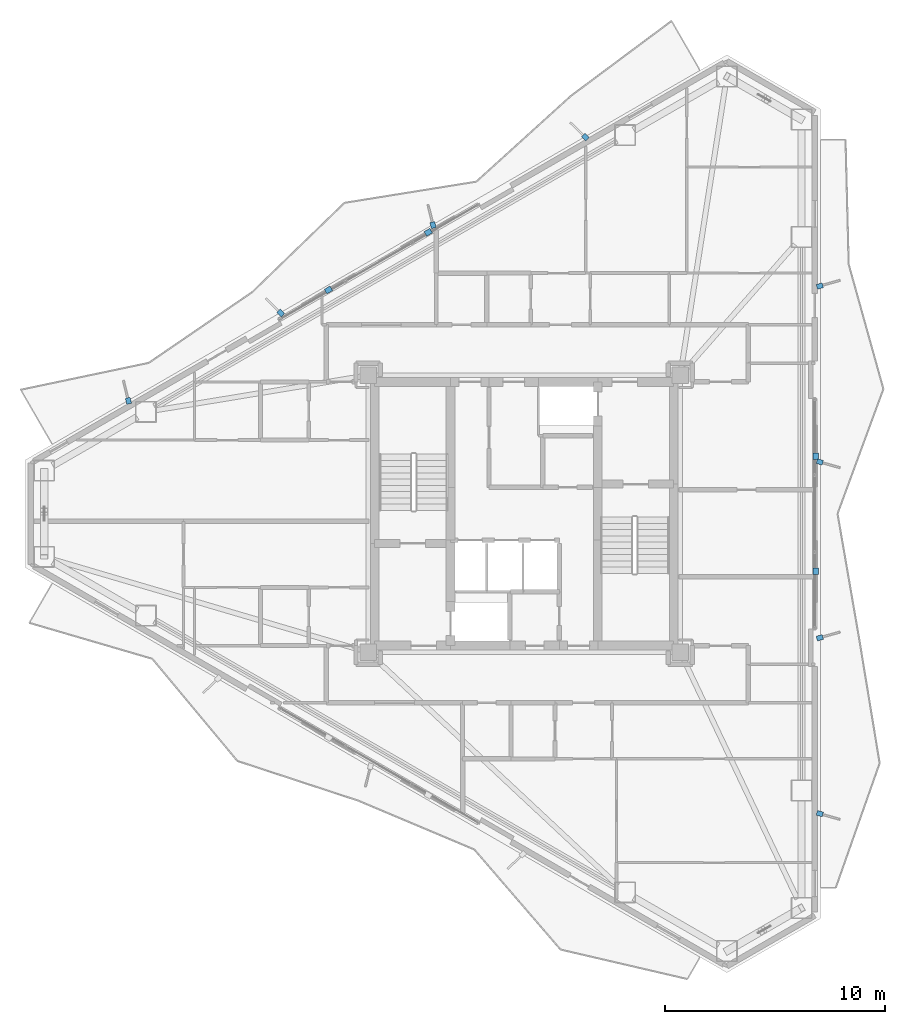
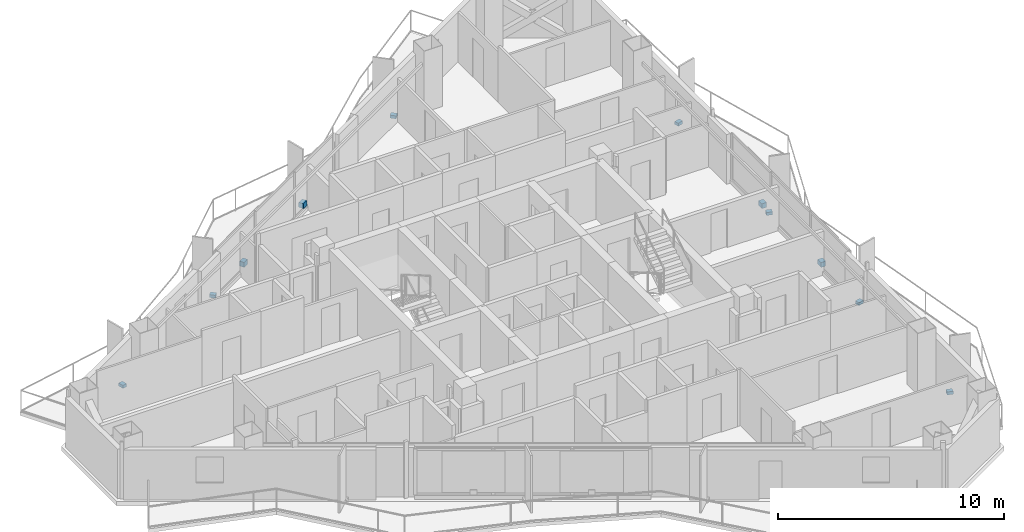
# One storey, part 17 of 19: 12 discrete accessories.
"""IFC4 building model written with IfcOpenShell, lengths in metres."""

from ifc_helpers import new_model, si_unit, direction, frame, origin, origin_2d, place, context, subcontext, project, spatial, rectangle, extrude, material, layer, layer_set, type_object, element, save


model = new_model("IFC4")

# Units and contexts
model_context = context("Model", 3, precision=1e-05, world=origin(), true_north=direction((0.0, 1.0)))
body_context = subcontext(model_context, "Body", "Model", "MODEL_VIEW")
ifc_project = project(units=[si_unit("LENGTHUNIT", "METRE"), si_unit("AREAUNIT", "SQUARE_METRE"), si_unit("VOLUMEUNIT", "CUBIC_METRE"), si_unit("PLANEANGLEUNIT", "RADIAN"), si_unit("MASSUNIT", "GRAM", prefix="KILO")], contexts=[model_context])

# Site, building, storey
site_placement = place(None, origin())
site = spatial("IfcSite", under=ifc_project, at=site_placement, CompositionType="ELEMENT")
building_placement = place(site_placement, origin())
building = spatial("IfcBuilding", under=site, at=building_placement, Name="Mersakhor Tower and Convention Hall", CompositionType="ELEMENT")
storey_placement = place(building_placement, frame((0.0, 0.0, 124.5)))
storey = spatial("IfcBuildingStorey", under=building, at=storey_placement, Name="L34", CompositionType="ELEMENT", Elevation=124.5)

# Discrete accessories
ifc_material = material(Name="Galvanised steel bracket", Category="steel")
ifc_layer = layer(ifc_material, 0.02001953125)
ifc_layer_set = layer_set([ifc_layer], Name="Galvanised steel bracket")
discrete_accessory_type = type_object("IfcDiscreteAccessoryType", Name="ACC-BRK-STL", PredefinedType="BRACKET", material=ifc_layer_set)
for number, where, z_axis, x_axis, name in (
    (1, (20.09521484375, 36.9306640625, 0.2900390625), (0.0, 0.0, 1.0), (0.866025403784, 0.5, 0.0), "L34 Solar Screen Outrigger Bracket BRK-1-1"),
    (2, (24.6357421875, 39.55224609375, 0.2900390625), (0.0, 0.0, 1.0), (0.866025403784, 0.5, 0.0), "L34 Solar Screen Outrigger Bracket BRK-1-2"),
):
    element("IfcDiscreteAccessory", number, at=place(storey_placement, frame(where, z_axis=z_axis, x_axis=x_axis)), inside=storey, type_object=discrete_accessory_type, Name=name, PredefinedType="BRACKET", context=body_context, shape_type="SweptSolid", body=[
        extrude(rectangle(XDim=0.300048828125, YDim=0.239990234375, at=origin_2d()), origin(), (0.0, 0.0, 1.0), 0.260009765625),
    ])
for number, where, z_axis, x_axis, name in (
    (3, (10.996826171875, 31.8857421875, -0.02001953125), (0.0, 0.0, 1.0), (-0.2419218956, 0.970295726276, 0.0), "L34 Facade Fin Base Cleat Bracket FBRK-1-1"),
    (4, (17.925048828125, 35.8857421875, -0.02001953125), (0.0, 0.0, 1.0), (-0.719339800339, 0.694658370459, 0.0), "L34 Facade Fin Base Cleat Bracket FBRK-1-2"),
    (5, (24.853271484375, 39.8857421875, -0.02001953125), (0.0, 0.0, 1.0), (-0.2419218956, 0.970295726276, 0.0), "L34 Facade Fin Base Cleat Bracket FBRK-1-3"),
    (6, (31.781494140625, 43.885498046875, -0.02001953125), (0.0, 0.0, 1.0), (-0.719339800339, 0.694658370459, 0.0), "L34 Facade Fin Base Cleat Bracket FBRK-1-4"),
):
    element("IfcDiscreteAccessory", number, at=place(storey_placement, frame(where, z_axis=z_axis, x_axis=x_axis)), inside=storey, type_object=discrete_accessory_type, Name=name, PredefinedType="BRACKET", context=body_context, shape_type="SweptSolid", body=[
        extrude(rectangle(XDim=0.280029296875, YDim=0.219970703125, at=origin_2d()), origin(), (0.0, 0.0, 1.0), 0.159912109375),
    ])
for number, where, z_axis, x_axis, name in (
    (7, (42.269287109375, 29.37158203125, 0.2900390625), (0.0, 0.0, 1.0), (0.0, -1.0, 0.0), "L34 Solar Screen Outrigger Bracket BRK-2-1"),
    (8, (42.269287109375, 24.12841796875, 0.2900390625), (0.0, 0.0, 1.0), (0.0, -1.0, 0.0), "L34 Solar Screen Outrigger Bracket BRK-2-2"),
):
    element("IfcDiscreteAccessory", number, at=place(storey_placement, frame(where, z_axis=z_axis, x_axis=x_axis)), inside=storey, type_object=discrete_accessory_type, Name=name, PredefinedType="BRACKET", context=body_context, shape_type="SweptSolid", body=[
        extrude(rectangle(XDim=0.300048828125, YDim=0.239990234375, at=origin_2d()), origin(), (0.0, 0.0, 1.0), 0.260009765625),
    ])
for number, where, z_axis, x_axis, name in (
    (9, (42.44921875, 37.106689453125, -0.02001953125), (0.0, 0.0, 1.0), (0.961261695938, 0.275637355817, 0.0), "L34 Facade Fin Base Cleat Bracket FBRK-2-1"),
    (10, (42.44921875, 29.106689453125, -0.02001953125), (0.0, 0.0, 1.0), (0.961261695938, -0.275637355817, 0.0), "L34 Facade Fin Base Cleat Bracket FBRK-2-2"),
    (11, (42.44921875, 21.106689453125, -0.02001953125), (0.0, 0.0, 1.0), (0.961261695938, 0.275637355817, 0.0), "L34 Facade Fin Base Cleat Bracket FBRK-2-3"),
    (12, (42.44921875, 13.106689453125, -0.02001953125), (0.0, 0.0, 1.0), (0.961261695938, -0.275637355817, 0.0), "L34 Facade Fin Base Cleat Bracket FBRK-2-4"),
):
    element("IfcDiscreteAccessory", number, at=place(storey_placement, frame(where, z_axis=z_axis, x_axis=x_axis)), inside=storey, type_object=discrete_accessory_type, Name=name, PredefinedType="BRACKET", context=body_context, shape_type="SweptSolid", body=[
        extrude(rectangle(XDim=0.280029296875, YDim=0.219970703125, at=origin_2d()), origin(), (0.0, 0.0, 1.0), 0.159912109375),
    ])

save(model, "model.ifc")
